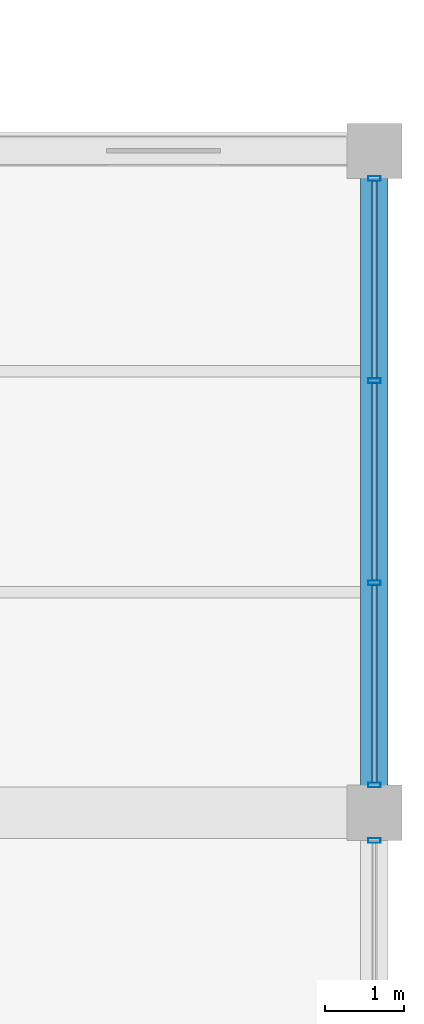
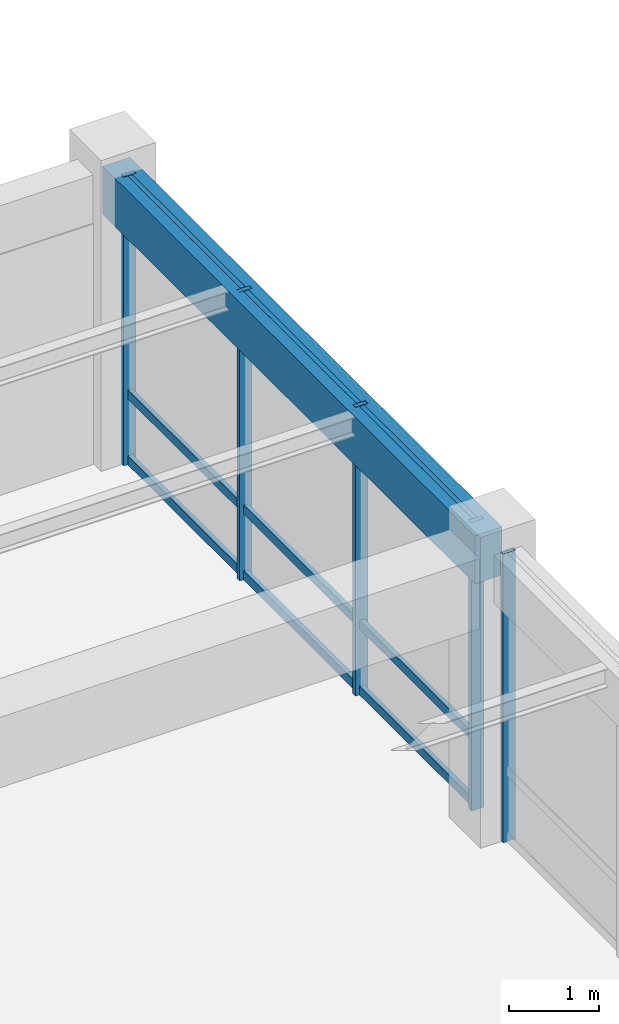
# One storey, part 91 of 152: 14 members, 1 beam, 2 elements without a shape of their own.
"""IFC4 building model written with IfcOpenShell, lengths in metres."""

from ifc_helpers import new_model, si_unit, direction, frame, origin, origin_2d, place, context, subcontext, project, spatial, rectangle, hollow_rectangle, extrude, material, material_profile, profile_set, type_object, element, aggregate, save


model = new_model("IFC4")

# Units and contexts
model_context = context("Model", 3, precision=1e-05, world=origin(), true_north=direction((0.0, 1.0)))
body_context = subcontext(model_context, "Body", "Model", "MODEL_VIEW")
ifc_project = project(units=[si_unit("LENGTHUNIT", "METRE"), si_unit("AREAUNIT", "SQUARE_METRE"), si_unit("VOLUMEUNIT", "CUBIC_METRE"), si_unit("PLANEANGLEUNIT", "RADIAN"), si_unit("MASSUNIT", "GRAM", prefix="KILO"), si_unit("THERMODYNAMICTEMPERATUREUNIT", "KELVIN"), si_unit("POWERUNIT", "WATT")], contexts=[model_context])

# Site, building, storey
site_placement = place(None, origin())
site = spatial("IfcSite", under=ifc_project, at=site_placement, CompositionType="ELEMENT")
building_placement = place(site_placement, origin())
building = spatial("IfcBuilding", under=site, at=building_placement, Name="Darbajah Civic Hall", CompositionType="ELEMENT")
storey_placement = place(building_placement, frame((0.0, 0.0, 5.39990234375)))
storey = spatial("IfcBuildingStorey", under=building, at=storey_placement, Name="L01", CompositionType="ELEMENT", Elevation=5.39990234375)

# Curtain wall, member
ifc_material_1 = material(Name="Anodised Bronze Aluminium and Low-E Glazing", Category="aluminium")
curtain_wall_type = type_object("IfcCurtainWallType", Name="Unitised Curtain Wall CW-52 7700x3900", PredefinedType="USERDEFINED", material=ifc_material_1)
curtain_wall_1_placement = place(storey_placement, origin())
curtain_wall_1 = element("IfcCurtainWall", 1, at=curtain_wall_1_placement, inside=storey, type_object=curtain_wall_type, Name="L01 unitised curtain wall CW-V3-L01-S3-B2", ObjectType="UNITISED CURTAIN WALL", PredefinedType="USERDEFINED")
ifc_material_2 = material(Name="Anodised Bronze Aluminium", Category="aluminium")
ifc_material_profile_1 = material_profile(ifc_material_2, hollow_rectangle(XDim=0.06005859375, YDim=0.159912109375, WallThickness=0.00341796875, at=origin_2d()), Name="ALU MULLION 60x160")
ifc_profile_set_1 = profile_set([ifc_material_profile_1], Name="Anodised Bronze Aluminium")
member_type_1 = type_object("IfcMemberType", Name="ALU MULLION 60x160", PredefinedType="MULLION", material=ifc_profile_set_1)
member_1_placement = place(storey_placement, frame((178.199951171875, 33.248046875, 0.0), z_axis=(0.0, 0.0, 1.0), x_axis=(0.0, 1.0, 0.0)))
member_1 = element("IfcMember", 2, at=member_1_placement, type_object=member_type_1, Name="CW-V3-L01-S3-B2 mullion 4", PredefinedType="MULLION", context=body_context, shape_type="SweptSolid", body=[
    extrude(hollow_rectangle(XDim=0.06005859375, YDim=0.159912109375, WallThickness=0.00341796875, at=origin_2d()), origin(), (0.0, 0.0, 1.0), 3.900146484375),
])
aggregate(curtain_wall_1, [member_1])

# Curtain wall, members
curtain_wall_2_placement = place(storey_placement, origin())
curtain_wall_2 = element("IfcCurtainWall", 3, at=curtain_wall_2_placement, inside=storey, type_object=curtain_wall_type, Name="L01 unitised curtain wall CW-V3-L01-S3-B3", ObjectType="UNITISED CURTAIN WALL", PredefinedType="USERDEFINED")
member_2_placement = place(storey_placement, frame((178.199951171875, 33.951904296875, 0.0), z_axis=(0.0, 0.0, 1.0), x_axis=(0.0, 1.0, 0.0)))
member_2 = element("IfcMember", 4, at=member_2_placement, type_object=member_type_1, Name="CW-V3-L01-S3-B3 mullion 1", PredefinedType="MULLION", context=body_context, shape_type="SweptSolid", body=[
    extrude(hollow_rectangle(XDim=0.06005859375, YDim=0.159912109375, WallThickness=0.00341796875, at=origin_2d()), origin(), (0.0, 0.0, 1.0), 3.900146484375),
])
member_3_placement = place(storey_placement, frame((178.199951171875, 36.517333984375, 0.0), z_axis=(0.0, 0.0, 1.0), x_axis=(0.0, 1.0, 0.0)))
member_3 = element("IfcMember", 5, at=member_3_placement, type_object=member_type_1, Name="CW-V3-L01-S3-B3 mullion 2", PredefinedType="MULLION", context=body_context, shape_type="SweptSolid", body=[
    extrude(hollow_rectangle(XDim=0.06005859375, YDim=0.159912109375, WallThickness=0.00341796875, at=origin_2d()), origin(), (0.0, 0.0, 1.0), 3.900146484375),
])
member_4_placement = place(storey_placement, frame((178.199951171875, 39.082763671875, 0.0), z_axis=(0.0, 0.0, 1.0), x_axis=(0.0, 1.0, 0.0)))
member_4 = element("IfcMember", 6, at=member_4_placement, type_object=member_type_1, Name="CW-V3-L01-S3-B3 mullion 3", PredefinedType="MULLION", context=body_context, shape_type="SweptSolid", body=[
    extrude(hollow_rectangle(XDim=0.06005859375, YDim=0.159912109375, WallThickness=0.00341796875, at=origin_2d()), origin(), (0.0, 0.0, 1.0), 3.900146484375),
])
member_5_placement = place(storey_placement, frame((178.199951171875, 41.64794921875, 0.0), z_axis=(0.0, 0.0, 1.0), x_axis=(0.0, 1.0, 0.0)))
member_5 = element("IfcMember", 7, at=member_5_placement, type_object=member_type_1, Name="CW-V3-L01-S3-B3 mullion 4", PredefinedType="MULLION", context=body_context, shape_type="SweptSolid", body=[
    extrude(hollow_rectangle(XDim=0.06005859375, YDim=0.159912109375, WallThickness=0.00341796875, at=origin_2d()), origin(), (0.0, 0.0, 1.0), 3.900146484375),
])
ifc_material_profile_2 = material_profile(ifc_material_2, hollow_rectangle(XDim=0.06005859375, YDim=0.1201171875, WallThickness=0.003173828125, at=origin_2d()), Name="ALU TRANSOM 60x120")
ifc_profile_set_2 = profile_set([ifc_material_profile_2], Name="Anodised Bronze Aluminium")
member_type_2 = type_object("IfcMemberType", Name="ALU TRANSOM 60x120", PredefinedType="USERDEFINED", material=ifc_profile_set_2)
member_6_placement = place(storey_placement, frame((178.199951171875, 33.987060546875, 0.06005859375), z_axis=(0.0, 1.0, 0.0), x_axis=(-1.0, 0.0, 0.0)))
member_6 = element("IfcMember", 8, at=member_6_placement, type_object=member_type_2, Name="CW-V3-L01-S3-B3 transom 1.1", ObjectType="TRANSOM", PredefinedType="USERDEFINED", context=body_context, shape_type="SweptSolid", body=[
    extrude(hollow_rectangle(XDim=0.06005859375, YDim=0.1201171875, WallThickness=0.003173828125, at=origin_2d()), origin(), (0.0, 0.0, 1.0), 2.495361328125),
])
member_7_placement = place(storey_placement, frame((178.199951171875, 33.987060546875, 0.9501953125), z_axis=(0.0, 1.0, 0.0), x_axis=(-1.0, 0.0, 0.0)))
member_7 = element("IfcMember", 9, at=member_7_placement, type_object=member_type_2, Name="CW-V3-L01-S3-B3 transom 1.2", ObjectType="TRANSOM", PredefinedType="USERDEFINED", context=body_context, shape_type="SweptSolid", body=[
    extrude(hollow_rectangle(XDim=0.06005859375, YDim=0.1201171875, WallThickness=0.003173828125, at=origin_2d()), origin(), (0.0, 0.0, 1.0), 2.495361328125),
])
member_8_placement = place(storey_placement, frame((178.199951171875, 33.987060546875, 3.840087890625), z_axis=(0.0, 1.0, 0.0), x_axis=(-1.0, 0.0, 0.0)))
member_8 = element("IfcMember", 10, at=member_8_placement, type_object=member_type_2, Name="CW-V3-L01-S3-B3 transom 1.3", ObjectType="TRANSOM", PredefinedType="USERDEFINED", context=body_context, shape_type="SweptSolid", body=[
    extrude(hollow_rectangle(XDim=0.06005859375, YDim=0.1201171875, WallThickness=0.003173828125, at=origin_2d()), origin(), (0.0, 0.0, 1.0), 2.495361328125),
])
member_9_placement = place(storey_placement, frame((178.199951171875, 36.55224609375, 0.06005859375), z_axis=(0.0, 1.0, 0.0), x_axis=(-1.0, 0.0, 0.0)))
member_9 = element("IfcMember", 11, at=member_9_placement, type_object=member_type_2, Name="CW-V3-L01-S3-B3 transom 2.1", ObjectType="TRANSOM", PredefinedType="USERDEFINED", context=body_context, shape_type="SweptSolid", body=[
    extrude(hollow_rectangle(XDim=0.06005859375, YDim=0.1201171875, WallThickness=0.003173828125, at=origin_2d()), origin(), (0.0, 0.0, 1.0), 2.495361328125),
])
member_10_placement = place(storey_placement, frame((178.199951171875, 36.55224609375, 0.9501953125), z_axis=(0.0, 1.0, 0.0), x_axis=(-1.0, 0.0, 0.0)))
member_10 = element("IfcMember", 12, at=member_10_placement, type_object=member_type_2, Name="CW-V3-L01-S3-B3 transom 2.2", ObjectType="TRANSOM", PredefinedType="USERDEFINED", context=body_context, shape_type="SweptSolid", body=[
    extrude(hollow_rectangle(XDim=0.06005859375, YDim=0.1201171875, WallThickness=0.003173828125, at=origin_2d()), origin(), (0.0, 0.0, 1.0), 2.495361328125),
])
member_11_placement = place(storey_placement, frame((178.199951171875, 36.55224609375, 3.840087890625), z_axis=(0.0, 1.0, 0.0), x_axis=(-1.0, 0.0, 0.0)))
member_11 = element("IfcMember", 13, at=member_11_placement, type_object=member_type_2, Name="CW-V3-L01-S3-B3 transom 2.3", ObjectType="TRANSOM", PredefinedType="USERDEFINED", context=body_context, shape_type="SweptSolid", body=[
    extrude(hollow_rectangle(XDim=0.06005859375, YDim=0.1201171875, WallThickness=0.003173828125, at=origin_2d()), origin(), (0.0, 0.0, 1.0), 2.495361328125),
])
member_12_placement = place(storey_placement, frame((178.199951171875, 39.11767578125, 0.06005859375), z_axis=(0.0, 1.0, 0.0), x_axis=(-1.0, 0.0, 0.0)))
member_12 = element("IfcMember", 14, at=member_12_placement, type_object=member_type_2, Name="CW-V3-L01-S3-B3 transom 3.1", ObjectType="TRANSOM", PredefinedType="USERDEFINED", context=body_context, shape_type="SweptSolid", body=[
    extrude(hollow_rectangle(XDim=0.06005859375, YDim=0.1201171875, WallThickness=0.003173828125, at=origin_2d()), origin(), (0.0, 0.0, 1.0), 2.495361328125),
])
member_13_placement = place(storey_placement, frame((178.199951171875, 39.11767578125, 0.9501953125), z_axis=(0.0, 1.0, 0.0), x_axis=(-1.0, 0.0, 0.0)))
member_13 = element("IfcMember", 15, at=member_13_placement, type_object=member_type_2, Name="CW-V3-L01-S3-B3 transom 3.2", ObjectType="TRANSOM", PredefinedType="USERDEFINED", context=body_context, shape_type="SweptSolid", body=[
    extrude(hollow_rectangle(XDim=0.06005859375, YDim=0.1201171875, WallThickness=0.003173828125, at=origin_2d()), origin(), (0.0, 0.0, 1.0), 2.495361328125),
])
member_14_placement = place(storey_placement, frame((178.199951171875, 39.11767578125, 3.840087890625), z_axis=(0.0, 1.0, 0.0), x_axis=(-1.0, 0.0, 0.0)))
member_14 = element("IfcMember", 16, at=member_14_placement, type_object=member_type_2, Name="CW-V3-L01-S3-B3 transom 3.3", ObjectType="TRANSOM", PredefinedType="USERDEFINED", context=body_context, shape_type="SweptSolid", body=[
    extrude(hollow_rectangle(XDim=0.06005859375, YDim=0.1201171875, WallThickness=0.003173828125, at=origin_2d()), origin(), (0.0, 0.0, 1.0), 2.495361328125),
])
aggregate(curtain_wall_2, [member_2, member_3, member_4, member_5, member_6, member_7, member_8, member_9, member_10, member_11, member_12, member_13, member_14])

# Beam
ifc_material_3 = material(Name="Concrete C45/55", Category="concrete")
ifc_material_profile_3 = material_profile(ifc_material_3, rectangle(XDim=0.35009765625, YDim=0.64990234375, at=origin_2d()), Name="RC SPANDREL 350x650")
ifc_profile_set_3 = profile_set([ifc_material_profile_3], Name="Concrete C45/55")
beam_type = type_object("IfcBeamType", Name="RC SPANDREL 350x650", PredefinedType="SPANDREL", material=ifc_profile_set_3)
beam_placement = place(storey_placement, frame((178.199951171875, 33.679931640625, 3.5751953125), z_axis=(0.0, 1.0, 0.0), x_axis=(-1.0, 0.0, 0.0)))
element("IfcBeam", 17, at=beam_placement, inside=storey, type_object=beam_type, Name="L01 beam SP-3565", PredefinedType="SPANDREL", context=body_context, shape_type="SweptSolid", body=[
    extrude(rectangle(XDim=0.35009765625, YDim=0.64990234375, at=origin_2d()), origin(), (0.0, 0.0, 1.0), 8.239990234375),
])

save(model, "model.ifc")
